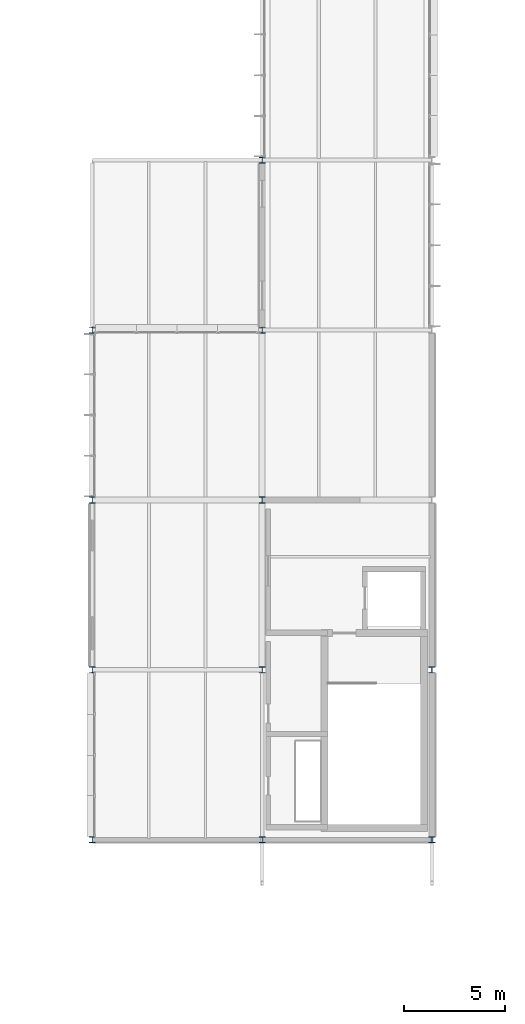
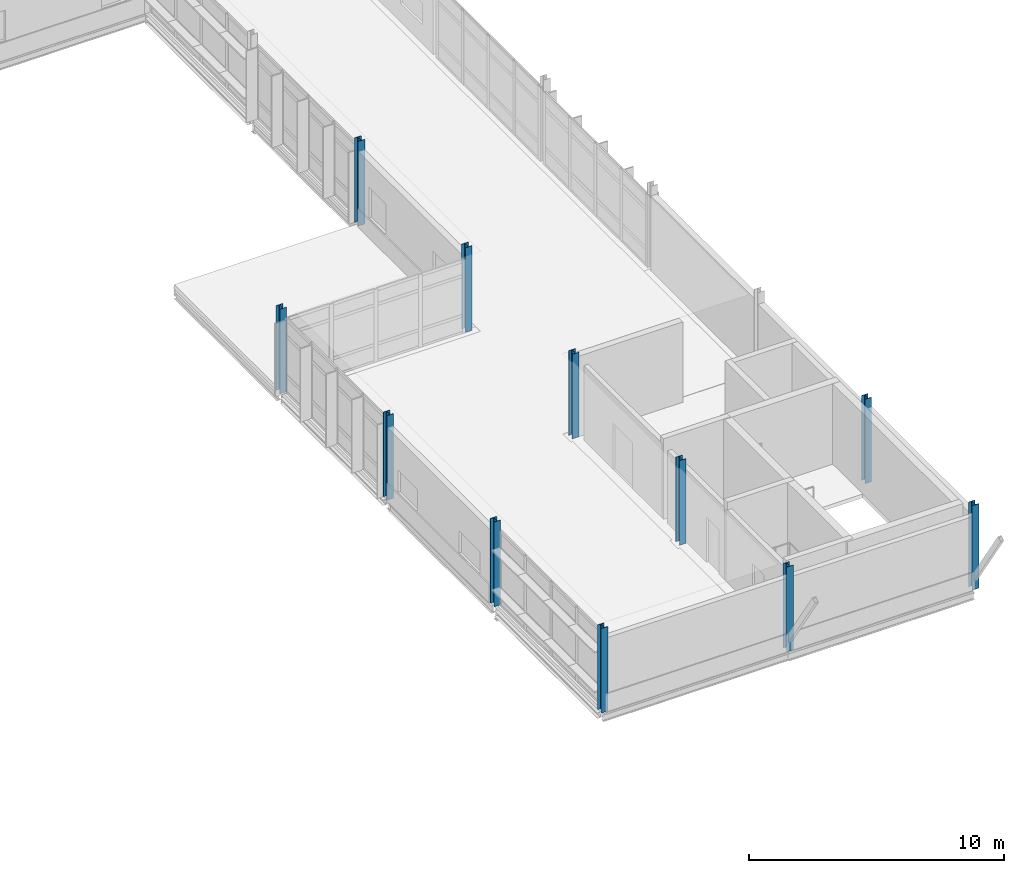
# One storey, part 3 of 66: 11 columns.
"""IFC4 building model written with IfcOpenShell, lengths in metres."""

from ifc_helpers import new_model, si_unit, direction, frame, origin, origin_2d, place, context, subcontext, project, spatial, i_section, extrude, material, material_profile, profile_set, type_object, element, save


model = new_model("IFC4")

# Units and contexts
model_context = context("Model", 3, precision=1e-05, world=origin(), true_north=direction((0.0, 1.0)))
body_context = subcontext(model_context, "Body", "Model", "MODEL_VIEW")
ifc_project = project(units=[si_unit("LENGTHUNIT", "METRE"), si_unit("AREAUNIT", "SQUARE_METRE"), si_unit("VOLUMEUNIT", "CUBIC_METRE"), si_unit("PLANEANGLEUNIT", "RADIAN"), si_unit("MASSUNIT", "GRAM", prefix="KILO")], contexts=[model_context])

# Site, building, storey
site_placement = place(None, origin())
site = spatial("IfcSite", under=ifc_project, at=site_placement, CompositionType="ELEMENT")
building_placement = place(site_placement, origin())
building = spatial("IfcBuilding", under=site, at=building_placement, Name="Mersafa Astral City Hall", CompositionType="ELEMENT")
storey_placement = place(building_placement, frame((0.0, 0.0, 22.050048828125)))
storey = spatial("IfcBuildingStorey", under=building, at=storey_placement, Name="L05", CompositionType="ELEMENT", Elevation=22.050048828125)

# Columns
ifc_material = material(Name="Steel S355", Category="steel")
ifc_material_profile = material_profile(ifc_material, i_section(OverallWidth=0.300048828125, OverallDepth=0.300048828125, WebThickness=0.010986328125, FlangeThickness=0.01904296875, FilletRadius=0.027099609375, at=origin_2d()), Name="HEB 300")
ifc_profile_set = profile_set([ifc_material_profile], Name="Steel S355")
column_type = type_object("IfcColumnType", Name="STR-COL-HEB300", PredefinedType="COLUMN", material=ifc_profile_set)
for number, where, z_axis, x_axis, name in (
    (1, (159.60009765625, 50.39990234375, 0.0), (0.0, 0.0, 1.0), (1.0, 0.0, 0.0), "L05 Structural column G-19-06"),
    (2, (159.60009765625, 58.800048828125, 0.0), (0.0, 0.0, 1.0), (1.0, 0.0, 0.0), "L05 Structural column G-19-07"),
    (3, (159.60009765625, 67.199951171875, 0.0), (0.0, 0.0, 1.0), (1.0, 0.0, 0.0), "L05 Structural column G-19-08"),
    (4, (159.60009765625, 75.60009765625, 0.0), (0.0, 0.0, 1.0), (1.0, 0.0, 0.0), "L05 Structural column G-19-09"),
    (5, (168.0, 50.39990234375, 0.0), (0.0, 0.0, 1.0), (1.0, 0.0, 0.0), "L05 Structural column G-20-06"),
    (6, (168.0, 58.800048828125, 0.0), (0.0, 0.0, 1.0), (1.0, 0.0, 0.0), "L05 Structural column G-20-07"),
    (7, (168.0, 67.199951171875, 0.0), (0.0, 0.0, 1.0), (1.0, 0.0, 0.0), "L05 Structural column G-20-08"),
    (8, (168.0, 75.60009765625, 0.0), (0.0, 0.0, 1.0), (1.0, 0.0, 0.0), "L05 Structural column G-20-09"),
    (9, (168.0, 84.0, 0.0), (0.0, 0.0, 1.0), (1.0, 0.0, 0.0), "L05 Structural column G-20-10"),
    (10, (176.39990234375, 50.39990234375, 0.0), (0.0, 0.0, 1.0), (1.0, 0.0, 0.0), "L05 Structural column G-21-06"),
    (11, (176.39990234375, 58.800048828125, 0.0), (0.0, 0.0, 1.0), (1.0, 0.0, 0.0), "L05 Structural column G-21-07"),
):
    element("IfcColumn", number, at=place(storey_placement, frame(where, z_axis=z_axis, x_axis=x_axis)), inside=storey, type_object=column_type, Name=name, PredefinedType="COLUMN", context=body_context, shape_type="SweptSolid", body=[
        extrude(i_section(OverallWidth=0.300048828125, OverallDepth=0.300048828125, WebThickness=0.010986328125, FlangeThickness=0.01904296875, FilletRadius=0.027099609375, at=origin_2d()), origin(), (0.0, 0.0, 1.0), 4.050048828125),
    ])

save(model, "model.ifc")
